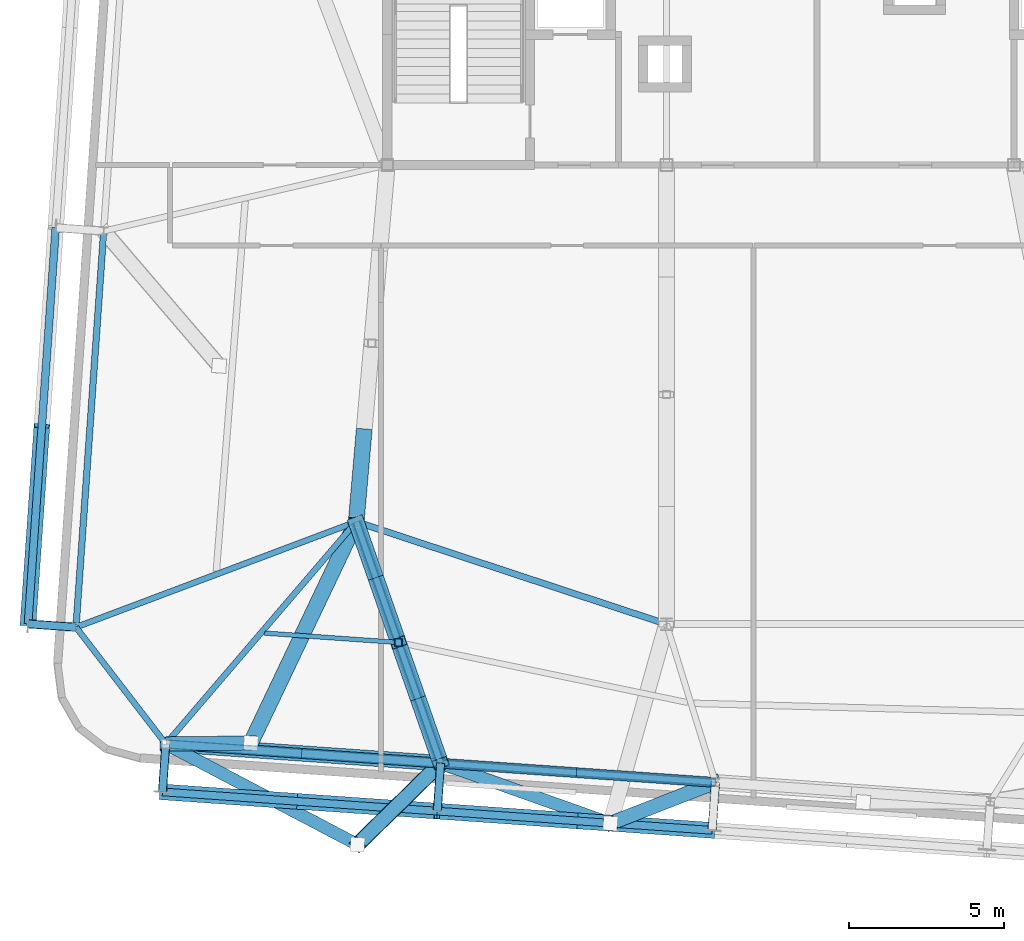
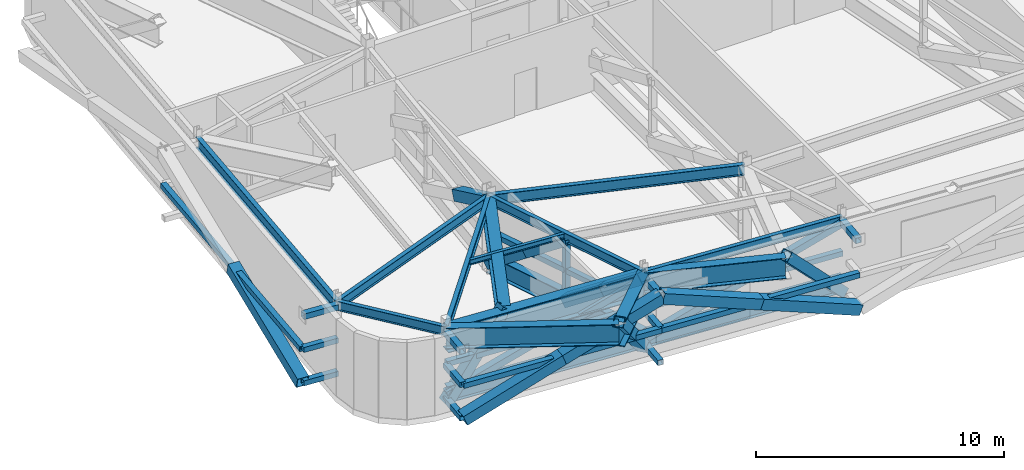
# One storey, part 6 of 24: 38 members, 13 beams.
"""IFC4 building model written with IfcOpenShell, lengths in metres."""

from ifc_helpers import new_model, si_unit, direction, frame, origin, origin_2d, place, context, subcontext, project, spatial, hollow_rectangle, i_section, extrude, source, transform, mapped, material, material_profile, profile_set, type_object, element, save


model = new_model("IFC4")

# Units and contexts
model_context = context("Model", 3, precision=1e-05, world=origin(), true_north=direction((0.0, 1.0)))
body_context = subcontext(model_context, "Body", "Model", "MODEL_VIEW")
ifc_project = project(units=[si_unit("LENGTHUNIT", "METRE"), si_unit("AREAUNIT", "SQUARE_METRE"), si_unit("VOLUMEUNIT", "CUBIC_METRE"), si_unit("PLANEANGLEUNIT", "RADIAN"), si_unit("MASSUNIT", "GRAM", prefix="KILO")], contexts=[model_context])

# Site, building, storey
site_placement = place(None, origin())
site = spatial("IfcSite", under=ifc_project, at=site_placement, CompositionType="ELEMENT")
building_placement = place(site_placement, origin())
building = spatial("IfcBuilding", under=site, at=building_placement, Name="Taldren Reach Tower", CompositionType="ELEMENT")
storey_placement = place(building_placement, frame((0.0, 0.0, 164.5)))
storey = spatial("IfcBuildingStorey", under=building, at=storey_placement, Name="L50", CompositionType="ELEMENT", Elevation=164.5)

# Beam
ifc_material_1 = material(Name="Steel Gr 350 (350PLUS)", Category="steel")
ifc_material_profile_1 = material_profile(ifc_material_1, i_section(OverallWidth=0.208984375, OverallDepth=0.532958984375, WebThickness=0.01025390625, FlangeThickness=0.015625, at=origin_2d()), Name="530UB92.4")
ifc_profile_set_1 = profile_set([ifc_material_profile_1], Name="Steel Gr 350 (350PLUS)")
beam_type_1 = type_object("IfcBeamType", Name="BM-UB530A", PredefinedType="BEAM", material=ifc_profile_set_1)
shared_shape_1 = source(origin(), body_context, "Body", "SweptSolid", [
    extrude(i_section(OverallWidth=0.208984375, OverallDepth=0.532958984375, WebThickness=0.01025390625, FlangeThickness=0.015625, at=origin_2d()), origin(), (0.0, 0.0, 1.0), 10.530517578125),
])
beam_1_placement = place(storey_placement, frame((18.0, 12.5, 3.513427734375), z_axis=(0.949627269203, -0.313381635689, 0.0), x_axis=(0.313381635689, 0.949627269203, 0.0)))
element("IfcBeam", 1, at=beam_1_placement, inside=storey, type_object=beam_type_1, Name="Core-spine girder L50-SP10", PredefinedType="BEAM", context=body_context, shape_type="MappedRepresentation", body=[
    mapped(shared_shape_1, transform((0.0, 0.0, 0.0), scale=1.0)),
])

# Members
ifc_material_2 = material(Name="Steel Gr 450 (C450L0)", Category="steel")
ifc_material_profile_2 = material_profile(ifc_material_2, hollow_rectangle(XDim=0.27490234375, YDim=0.27490234375, WallThickness=0.00927734375, at=origin_2d()), Name="275x275x9.3SHS")
ifc_profile_set_2 = profile_set([ifc_material_profile_2], Name="Steel Gr 450 (C450L0)")
member_type_1 = type_object("IfcMemberType", Name="MB-TIE273", PredefinedType="STRUT", material=ifc_profile_set_2)
shared_shape_2 = source(origin(), body_context, "Body", "SweptSolid", [
    extrude(hollow_rectangle(XDim=0.27490234375, YDim=0.27490234375, WallThickness=0.00927734375, at=origin_2d()), origin(), (0.0, 0.0, 1.0), 1.5498046875),
])
for number, where, z_axis, x_axis, name in (
    (2, (11.863525390625, 5.33837890625, 3.5), (-0.069780535098, -0.997562367434, 0.0), (0.997562367434, -0.069780535098, 0.0), "Exoskeleton diaphragm tie strut B3-S1 L50"),
    (3, (20.721923828125, 4.718994140625, 3.5), (-0.069780535098, -0.997562367434, 0.0), (0.997562367434, -0.069780535098, 0.0), "Exoskeleton diaphragm tie strut B3-S2 L50"),
    (4, (8.96875, 9.099609375, 3.5), (-0.997573320145, 0.069623781384, 0.0), (-0.069623781384, -0.997573320145, 0.0), "Exoskeleton diaphragm tie strut B3-W1 L50"),
):
    element("IfcMember", number, at=place(storey_placement, frame(where, z_axis=z_axis, x_axis=x_axis)), inside=storey, type_object=member_type_1, Name=name, PredefinedType="STRUT", context=body_context, shape_type="MappedRepresentation", body=[
        mapped(shared_shape_2, transform((0.0, 0.0, 0.0), scale=1.0)),
    ])
ifc_material_3 = material(Name="Steel Gr 350 (C350L0)", Category="steel")
ifc_material_profile_3 = material_profile(ifc_material_3, hollow_rectangle(XDim=0.25, YDim=0.25, WallThickness=0.010009765625, at=origin_2d()), Name="250x250x10.0SHS")
ifc_profile_set_3 = profile_set([ifc_material_profile_3], Name="Steel Gr 350 (C350L0)")
member_type_2 = type_object("IfcMemberType", Name="MB-POST250", PredefinedType="POST", material=ifc_profile_set_3)
shared_shape_3 = source(origin(), body_context, "Body", "SweptSolid", [
    extrude(hollow_rectangle(XDim=0.25, YDim=0.25, WallThickness=0.010009765625, at=origin_2d()), origin(), (0.0, 0.0, 1.0), 1.5498046875),
])
for number, where, z_axis, x_axis, name in (
    (5, (11.863525390625, 5.33837890625, 0.219970703125), (-0.069780535098, -0.997562367434, 0.0), (0.997562367434, -0.069780535098, 0.0), "Exoskeleton base diaphragm tie strut B3-S1 L50"),
    (6, (20.721923828125, 4.718994140625, 0.219970703125), (-0.069780535098, -0.997562367434, 0.0), (0.997562367434, -0.069780535098, 0.0), "Exoskeleton base diaphragm tie strut B3-S2 L50"),
    (7, (8.96875, 9.099609375, 0.219970703125), (-0.997573320145, 0.069623781384, 0.0), (-0.069623781384, -0.997573320145, 0.0), "Exoskeleton base diaphragm tie strut B3-W1 L50"),
    (8, (11.863525390625, 5.33837890625, 1.860107421875), (-0.069780535098, -0.997562367434, 0.0), (0.997562367434, -0.069780535098, 0.0), "Exoskeleton mid-tier diaphragm tie B3-S1 L50"),
    (9, (20.721923828125, 4.718994140625, 1.860107421875), (-0.069780535098, -0.997562367434, 0.0), (0.997562367434, -0.069780535098, 0.0), "Exoskeleton mid-tier diaphragm tie B3-S2 L50"),
    (10, (8.96875, 9.099609375, 1.860107421875), (-0.997573320145, 0.069623781384, 0.0), (-0.069623781384, -0.997573320145, 0.0), "Exoskeleton mid-tier diaphragm tie B3-W1 L50"),
):
    element("IfcMember", number, at=place(storey_placement, frame(where, z_axis=z_axis, x_axis=x_axis)), inside=storey, type_object=member_type_2, Name=name, PredefinedType="POST", context=body_context, shape_type="MappedRepresentation", body=[
        mapped(shared_shape_3, transform((0.0, 0.0, 0.0), scale=1.0)),
    ])
shared_shape_4 = source(origin(), body_context, "Body", "SweptSolid", [
    extrude(hollow_rectangle(XDim=0.25, YDim=0.25, WallThickness=0.010009765625, at=origin_2d()), origin(), (0.0, 0.0, 1.0), 1.5048828125),
])
member_1_placement = place(storey_placement, frame((19.361083984375, 8.609375, 1.955078125), z_axis=(0.0, 0.0, 1.0), x_axis=(1.0, 0.0, 0.0)))
element("IfcMember", 11, at=member_1_placement, inside=storey, type_object=member_type_2, Name="Outrigger Transfer Truss Vertical Post OT-W2 L50", PredefinedType="POST", context=body_context, shape_type="MappedRepresentation", body=[
    mapped(shared_shape_4, transform((0.0, 0.0, 0.0), scale=1.0)),
])
shared_shape_5 = source(origin(), body_context, "Body", "SweptSolid", [
    extrude(hollow_rectangle(XDim=0.25, YDim=0.25, WallThickness=0.010009765625, at=origin_2d()), origin(), (0.0, 0.0, 1.0), 1.505126953125),
])
member_2_placement = place(storey_placement, frame((19.361083984375, 8.609375, 0.449951171875), z_axis=(0.0, 0.0, 1.0), x_axis=(1.0, 0.0, 0.0)))
element("IfcMember", 12, at=member_2_placement, inside=storey, type_object=member_type_2, Name="Outrigger Transfer Truss Vertical Post OT-W2 L50", PredefinedType="POST", context=body_context, shape_type="MappedRepresentation", body=[
    mapped(shared_shape_5, transform((0.0, 0.0, 0.0), scale=1.0)),
])
ifc_material_profile_4 = material_profile(ifc_material_2, hollow_rectangle(XDim=0.510009765625, YDim=0.510009765625, WallThickness=0.02001953125, at=origin_2d()), Name="510x510x20.0SHS")
ifc_profile_set_4 = profile_set([ifc_material_profile_4], Name="Steel Gr 450 (C450L0)")
member_type_3 = type_object("IfcMemberType", Name="MB-EXO508", PredefinedType="BRACE", material=ifc_profile_set_4)
shared_shape_6 = source(origin(), body_context, "Body", "SweptSolid", [
    extrude(hollow_rectangle(XDim=0.510009765625, YDim=0.510009765625, WallThickness=0.02001953125, at=origin_2d()), origin(), (0.0, 0.0, 1.0), 3.254638671875),
])
member_3_placement = place(storey_placement, frame((18.25, 15.375, 1.955078125), z_axis=(-0.076812991328, -0.883349400268, 0.462378201703), x_axis=(0.996240588196, -0.086629616365, 0.0)))
element("IfcMember", 13, at=member_3_placement, inside=storey, type_object=member_type_3, Name="Outrigger Transfer Truss Diagonal OT-W1B L50", PredefinedType="BRACE", context=body_context, shape_type="MappedRepresentation", body=[
    mapped(shared_shape_6, transform((0.0, 0.0, 0.0), scale=1.0)),
])
shared_shape_7 = source(origin(), body_context, "Body", "SweptSolid", [
    extrude(hollow_rectangle(XDim=0.27490234375, YDim=0.27490234375, WallThickness=0.00927734375, at=origin_2d()), origin(), (0.0, 0.0, 1.0), 1.550048828125),
])
member_4_placement = place(storey_placement, frame((29.580322265625, 4.099609375, 3.5), z_axis=(-0.06976957191, -0.99756313426, 0.0), x_axis=(0.99756313426, -0.06976957191, 0.0)))
element("IfcMember", 14, at=member_4_placement, inside=storey, type_object=member_type_1, Name="Exoskeleton diaphragm tie strut B3-S3 L50", PredefinedType="STRUT", context=body_context, shape_type="MappedRepresentation", body=[
    mapped(shared_shape_7, transform((0.0, 0.0, 0.0), scale=1.0)),
])

# Beams
ifc_material_profile_5 = material_profile(ifc_material_1, i_section(OverallWidth=0.18994140625, OverallDepth=0.4541015625, WebThickness=0.008544921875, FlangeThickness=0.0126953125, at=origin_2d()), Name="460UB67.1")
ifc_profile_set_5 = profile_set([ifc_material_profile_5], Name="Steel Gr 350 (350PLUS)")
beam_type_2 = type_object("IfcBeamType", Name="SP-UB460B", PredefinedType="SPANDREL", material=ifc_profile_set_5)
shared_shape_8 = source(origin(), body_context, "Body", "SweptSolid", [
    extrude(i_section(OverallWidth=0.18994140625, OverallDepth=0.4541015625, WebThickness=0.008544921875, FlangeThickness=0.0126953125, at=origin_2d()), origin(), (0.0, 0.0, 1.0), 8.880126953125),
])
beam_2_placement = place(storey_placement, frame((20.721923828125, 4.718994140625, 3.552978515625), z_axis=(0.997564479639, -0.069750333063, 0.0), x_axis=(0.069750333063, 0.997564479639, 0.0)))
element("IfcBeam", 15, at=beam_2_placement, inside=storey, type_object=beam_type_2, Name="Perimeter spandrel B3 S2-S3 L50", PredefinedType="SPANDREL", context=body_context, shape_type="MappedRepresentation", body=[
    mapped(shared_shape_8, transform((0.0, 0.0, 0.0), scale=1.0)),
])
ifc_material_profile_6 = material_profile(ifc_material_1, i_section(OverallWidth=0.208984375, OverallDepth=0.528076171875, WebThickness=0.009521484375, FlangeThickness=0.01318359375, at=origin_2d()), Name="530UB82.0")
ifc_profile_set_6 = profile_set([ifc_material_profile_6], Name="Steel Gr 350 (350PLUS)")
beam_type_3 = type_object("IfcBeamType", Name="SP-UB530B", PredefinedType="SPANDREL", material=ifc_profile_set_6)
shared_shape_9 = source(origin(), body_context, "Body", "SweptSolid", [
    extrude(i_section(OverallWidth=0.208984375, OverallDepth=0.528076171875, WebThickness=0.009521484375, FlangeThickness=0.01318359375, at=origin_2d()), origin(), (0.0, 0.0, 1.0), 12.800048828125),
])
beam_3_placement = place(storey_placement, frame((9.86181640625, 21.868408203125, 3.51611328125), z_axis=(-0.069770857464, -0.997563044348, 0.0), x_axis=(0.997563044348, -0.069770857464, 0.0)))
element("IfcBeam", 16, at=beam_3_placement, inside=storey, type_object=beam_type_3, Name="Perimeter spandrel B3 W2-W1 L50", PredefinedType="SPANDREL", context=body_context, shape_type="MappedRepresentation", body=[
    mapped(shared_shape_9, transform((0.0, 0.0, 0.0), scale=1.0)),
])
shared_shape_10 = source(origin(), body_context, "Body", "SweptSolid", [
    extrude(i_section(OverallWidth=0.18994140625, OverallDepth=0.4541015625, WebThickness=0.008544921875, FlangeThickness=0.0126953125, at=origin_2d()), origin(), (0.0, 0.0, 1.0), 4.746337890625),
])
beam_4_placement = place(storey_placement, frame((8.96875, 9.099609375, 3.552978515625), z_axis=(0.609912099004, -0.792469072891, 0.0), x_axis=(0.792469072891, 0.609912099004, 0.0)))
element("IfcBeam", 17, at=beam_4_placement, inside=storey, type_object=beam_type_2, Name="Perimeter spandrel B3 W1-S1 L50", PredefinedType="SPANDREL", context=body_context, shape_type="MappedRepresentation", body=[
    mapped(shared_shape_10, transform((0.0, 0.0, 0.0), scale=1.0)),
])
ifc_material_profile_7 = material_profile(ifc_material_1, i_section(OverallWidth=0.19091796875, OverallDepth=0.4599609375, WebThickness=0.010009765625, FlangeThickness=0.01611328125, at=origin_2d()), Name="460UB82.1")
ifc_profile_set_7 = profile_set([ifc_material_profile_7], Name="Steel Gr 350 (350PLUS)")
beam_type_4 = type_object("IfcBeamType", Name="BM-UB460A", PredefinedType="BEAM", material=ifc_profile_set_7)
shared_shape_11 = source(origin(), body_context, "Body", "SweptSolid", [
    extrude(i_section(OverallWidth=0.19091796875, OverallDepth=0.4599609375, WebThickness=0.010009765625, FlangeThickness=0.01611328125, at=origin_2d()), origin(), (0.0, 0.0, 1.0), 9.43115234375),
])
beam_5_placement = place(storey_placement, frame((18.0, 12.5, 3.550048828125), z_axis=(-0.650665584965, -0.759364402999, 0.0), x_axis=(0.759364402999, -0.650665584965, 0.0)))
element("IfcBeam", 18, at=beam_5_placement, inside=storey, type_object=beam_type_4, Name="Primary floor girder B3-S1 L50", PredefinedType="BEAM", context=body_context, shape_type="MappedRepresentation", body=[
    mapped(shared_shape_11, transform((0.0, 0.0, 0.0), scale=1.0)),
])
shared_shape_12 = source(origin(), body_context, "Body", "SweptSolid", [
    extrude(i_section(OverallWidth=0.19091796875, OverallDepth=0.4599609375, WebThickness=0.010009765625, FlangeThickness=0.01611328125, at=origin_2d()), origin(), (0.0, 0.0, 1.0), 8.243408203125),
])
beam_6_placement = place(storey_placement, frame((18.0, 12.5, 3.550048828125), z_axis=(0.330196070713, -0.943912366105, 0.0), x_axis=(0.943912366105, 0.330196070713, 0.0)))
element("IfcBeam", 19, at=beam_6_placement, inside=storey, type_object=beam_type_4, Name="Primary floor girder B3-S2 L50", PredefinedType="BEAM", context=body_context, shape_type="MappedRepresentation", body=[
    mapped(shared_shape_12, transform((0.0, 0.0, 0.0), scale=1.0)),
])
shared_shape_13 = source(origin(), body_context, "Body", "SweptSolid", [
    extrude(i_section(OverallWidth=0.19091796875, OverallDepth=0.4599609375, WebThickness=0.010009765625, FlangeThickness=0.01611328125, at=origin_2d()), origin(), (0.0, 0.0, 1.0), 9.650146484375),
])
beam_7_placement = place(storey_placement, frame((18.0, 12.5, 3.550048828125), z_axis=(-0.935862573906, -0.352365212191, 0.0), x_axis=(0.352365212191, -0.935862573906, 0.0)))
element("IfcBeam", 20, at=beam_7_placement, inside=storey, type_object=beam_type_4, Name="Primary floor girder B3-W1 L50", PredefinedType="BEAM", context=body_context, shape_type="MappedRepresentation", body=[
    mapped(shared_shape_13, transform((0.0, 0.0, 0.0), scale=1.0)),
])
ifc_material_4 = material(Name="Steel Gr 300 (300PLUS, 300 MPa)", Category="steel")
ifc_material_profile_8 = material_profile(ifc_material_4, i_section(OverallWidth=0.14599609375, OverallDepth=0.256103515625, WebThickness=0.00634765625, FlangeThickness=0.010986328125, at=origin_2d()), Name="250UB37.3")
ifc_profile_set_8 = profile_set([ifc_material_profile_8], Name="Steel Gr 300 (300PLUS, 300 MPa)")
beam_type_5 = type_object("IfcBeamType", Name="JS-UB250", PredefinedType="JOIST", material=ifc_profile_set_8)
shared_shape_14 = source(origin(), body_context, "Body", "SweptSolid", [
    extrude(i_section(OverallWidth=0.14599609375, OverallDepth=0.256103515625, WebThickness=0.00634765625, FlangeThickness=0.010986328125, at=origin_2d()), origin(), (0.0, 0.0, 1.0), 4.217041015625),
])
beam_8_placement = place(storey_placement, frame((15.050537109375, 8.910888671875, 3.652099609375), z_axis=(0.997563683226, -0.069761722378, 0.0), x_axis=(0.069761722378, 0.997563683226, 0.0)))
element("IfcBeam", 21, at=beam_8_placement, inside=storey, type_object=beam_type_5, Name="Secondary floor joist B3 J1 L50", PredefinedType="JOIST", context=body_context, shape_type="MappedRepresentation", body=[
    mapped(shared_shape_14, transform((0.0, 0.0, 0.0), scale=1.0)),
])

# Members
shared_shape_15 = source(origin(), body_context, "Body", "SweptSolid", [
    extrude(hollow_rectangle(XDim=0.25, YDim=0.25, WallThickness=0.010009765625, at=origin_2d()), origin(), (0.0, 0.0, 1.0), 8.880126953125),
])
for number, where, z_axis, x_axis, name in (
    (22, (11.863525390625, 5.33837890625, 1.955078125), (0.997564479639, -0.069750333063, 0.0), (0.069750333063, 0.997564479639, 0.0), "Belt Truss Transfer Mid Chord S1 L50"),
    (23, (20.721923828125, 4.718994140625, 1.955078125), (0.997564479639, -0.069750333063, 0.0), (0.069750333063, 0.997564479639, 0.0), "Belt Truss Transfer Mid Chord S2 L50"),
    (24, (11.75537109375, 3.792236328125, 1.860107421875), (0.997564479639, -0.069750333063, 0.0), (0.069750333063, 0.997564479639, 0.0), "Exoskeleton mid-height ring chord B3-S1 L50"),
    (25, (20.61376953125, 3.1728515625, 1.860107421875), (0.997562566276, -0.06977769246, 0.0), (0.06977769246, 0.997562566276, 0.0), "Exoskeleton mid-height ring chord B3-S2 L50"),
):
    element("IfcMember", number, at=place(storey_placement, frame(where, z_axis=z_axis, x_axis=x_axis)), inside=storey, type_object=member_type_2, Name=name, PredefinedType="POST", context=body_context, shape_type="MappedRepresentation", body=[
        mapped(shared_shape_15, transform((0.0, 0.0, 0.0), scale=1.0)),
    ])
shared_shape_16 = source(origin(), body_context, "Body", "SweptSolid", [
    extrude(hollow_rectangle(XDim=0.25, YDim=0.25, WallThickness=0.010009765625, at=origin_2d()), origin(), (0.0, 0.0, 1.0), 12.80029296875),
])
member_5_placement = place(storey_placement, frame((7.422607421875, 9.20751953125, 1.860107421875), z_axis=(0.069750549628, 0.997564464497, 0.0), x_axis=(-0.997564464497, 0.069750549628, 0.0)))
element("IfcMember", 26, at=member_5_placement, inside=storey, type_object=member_type_2, Name="Exoskeleton mid-height ring chord B3-W1 L50", PredefinedType="POST", context=body_context, shape_type="MappedRepresentation", body=[
    mapped(shared_shape_16, transform((0.0, 0.0, 0.0), scale=1.0)),
])

# Beam
ifc_material_profile_9 = material_profile(ifc_material_1, i_section(OverallWidth=0.5, OverallDepth=1.199951171875, WebThickness=0.01611328125, FlangeThickness=0.0400390625, at=origin_2d()), Name="1200WB455")
ifc_profile_set_9 = profile_set([ifc_material_profile_9], Name="Steel Gr 350 (350PLUS)")
beam_type_6 = type_object("IfcBeamType", Name="BM-WB1200", PredefinedType="BEAM", material=ifc_profile_set_9)
shared_shape_17 = source(origin(), body_context, "Body", "SweptSolid", [
    extrude(i_section(OverallWidth=0.5, OverallDepth=1.199951171875, WebThickness=0.01611328125, FlangeThickness=0.0400390625, at=origin_2d()), origin(), (0.0, 0.0, 1.0), 8.880126953125),
])
beam_9_placement = place(storey_placement, frame((11.863525390625, 5.33837890625, 3.179931640625), z_axis=(0.997564479639, -0.069750333063, 0.0), x_axis=(0.069750333063, 0.997564479639, 0.0)))
element("IfcBeam", 27, at=beam_9_placement, inside=storey, type_object=beam_type_6, Name="Belt Truss Transfer Tie Girder TG-B4-W1B on L50", PredefinedType="SPANDREL", context=body_context, shape_type="MappedRepresentation", body=[
    mapped(shared_shape_17, transform((0.0, 0.0, 0.0), scale=1.0)),
])

# Member
ifc_material_profile_10 = material_profile(ifc_material_2, hollow_rectangle(XDim=0.4599609375, YDim=0.4599609375, WallThickness=0.01611328125, at=origin_2d()), Name="460x460x16.0SHS")
ifc_profile_set_10 = profile_set([ifc_material_profile_10], Name="Steel Gr 450 (C450L0)")
member_type_4 = type_object("IfcMemberType", Name="MB-EXO457", PredefinedType="BRACE", material=ifc_profile_set_10)
shared_shape_18 = source(origin(), body_context, "Body", "SweptSolid", [
    extrude(hollow_rectangle(XDim=0.4599609375, YDim=0.4599609375, WallThickness=0.01611328125, at=origin_2d()), origin(), (0.0, 0.0, 1.0), 5.3125),
])
member_6_placement = place(storey_placement, frame((20.721923828125, 4.718994140625, 0.02001953125), z_axis=(-0.504910415414, -0.494110929875, 0.707756922526), x_axis=(0.699422045856, -0.714708893026, 0.0)))
element("IfcMember", 28, at=member_6_placement, inside=storey, type_object=member_type_4, Name="Outrigger Belt Truss Transfer Strut TS-B4-S1 L50", PredefinedType="BRACE", context=body_context, shape_type="MappedRepresentation", body=[
    mapped(shared_shape_18, transform((0.0, 0.0, 0.0), scale=1.0)),
])

# Beams
shared_shape_19 = source(origin(), body_context, "Body", "SweptSolid", [
    extrude(i_section(OverallWidth=0.5, OverallDepth=1.199951171875, WebThickness=0.01611328125, FlangeThickness=0.0400390625, at=origin_2d()), origin(), (0.0, 0.0, 1.0), 3.753173828125),
])
beam_10_placement = place(storey_placement, frame((20.721923828125, 4.718994140625, 3.179931640625), z_axis=(-0.714708893026, -0.699422045856, 0.0), x_axis=(0.699422045856, -0.714708893026, 0.0)))
element("IfcBeam", 29, at=beam_10_placement, inside=storey, type_object=beam_type_6, Name="Belt Truss Transfer Girder TG-B4-S1A on L50", PredefinedType="BEAM", context=body_context, shape_type="MappedRepresentation", body=[
    mapped(shared_shape_19, transform((0.0, 0.0, 0.0), scale=1.0)),
])
ifc_material_profile_11 = material_profile(ifc_material_1, i_section(OverallWidth=0.39990234375, OverallDepth=1.02392578125, WebThickness=0.01611328125, FlangeThickness=0.031982421875, at=origin_2d()), Name="1000WB322")
ifc_profile_set_11 = profile_set([ifc_material_profile_11], Name="Steel Gr 350 (350PLUS)")
beam_type_7 = type_object("IfcBeamType", Name="BM-WB1000", PredefinedType="BEAM", material=ifc_profile_set_11)
shared_shape_20 = source(origin(), body_context, "Body", "SweptSolid", [
    extrude(i_section(OverallWidth=0.39990234375, OverallDepth=1.02392578125, WebThickness=0.01611328125, FlangeThickness=0.031982421875, at=origin_2d()), origin(), (0.0, 0.0, 1.0), 6.976318359375),
])
beam_11_placement = place(storey_placement, frame((11.863525390625, 5.33837890625, 3.26806640625), z_axis=(0.885281572044, -0.465055414116, 0.0), x_axis=(0.465055414116, 0.885281572044, 0.0)))
element("IfcBeam", 30, at=beam_11_placement, inside=storey, type_object=beam_type_7, Name="Belt Truss Transfer Tie Girder TG-B4-S1B on L50", PredefinedType="BEAM", context=body_context, shape_type="MappedRepresentation", body=[
    mapped(shared_shape_20, transform((0.0, 0.0, 0.0), scale=1.0)),
])

# Member
shared_shape_21 = source(origin(), body_context, "Body", "SweptSolid", [
    extrude(hollow_rectangle(XDim=0.4599609375, YDim=0.4599609375, WallThickness=0.01611328125, at=origin_2d()), origin(), (0.0, 0.0, 1.0), 5.231689453125),
])
member_7_placement = place(storey_placement, frame((29.580322265625, 4.099609375, 0.02001953125), z_axis=(-0.647856588055, -0.25250680674, 0.718694757087), x_axis=(0.363148956361, -0.931731096129, 0.0)))
element("IfcMember", 31, at=member_7_placement, inside=storey, type_object=member_type_4, Name="Outrigger Belt Truss Transfer Strut TS-B4-S2 L50", PredefinedType="BRACE", context=body_context, shape_type="MappedRepresentation", body=[
    mapped(shared_shape_21, transform((0.0, 0.0, 0.0), scale=1.0)),
])

# Beam
shared_shape_22 = source(origin(), body_context, "Body", "SweptSolid", [
    extrude(i_section(OverallWidth=0.39990234375, OverallDepth=1.02392578125, WebThickness=0.01611328125, FlangeThickness=0.031982421875, at=origin_2d()), origin(), (0.0, 0.0, 1.0), 5.802978515625),
])
beam_12_placement = place(storey_placement, frame((20.721923828125, 4.718994140625, 3.26806640625), z_axis=(0.942437582431, -0.334382121564, 0.0), x_axis=(0.334382121564, 0.942437582431, 0.0)))
element("IfcBeam", 32, at=beam_12_placement, inside=storey, type_object=beam_type_7, Name="Belt Truss Transfer Tie Girder TG-B4-S2B on L50", PredefinedType="BEAM", context=body_context, shape_type="MappedRepresentation", body=[
    mapped(shared_shape_22, transform((0.0, 0.0, 0.0), scale=1.0)),
])

# Member
shared_shape_23 = source(origin(), body_context, "Body", "SweptSolid", [
    extrude(hollow_rectangle(XDim=0.4599609375, YDim=0.4599609375, WallThickness=0.01611328125, at=origin_2d()), origin(), (0.0, 0.0, 1.0), 4.652587890625),
])
member_8_placement = place(storey_placement, frame((11.863525390625, 5.33837890625, 0.02001953125), z_axis=(0.588958281187, 0.006349247329, 0.808138496843), x_axis=(-0.01077984403, 0.999941895793, 0.0)))
element("IfcMember", 33, at=member_8_placement, inside=storey, type_object=member_type_4, Name="Outrigger Belt Truss Transfer Strut TS-B4-W1 L50", PredefinedType="BRACE", context=body_context, shape_type="MappedRepresentation", body=[
    mapped(shared_shape_23, transform((0.0, 0.0, 0.0), scale=1.0)),
])

# Beam
shared_shape_24 = source(origin(), body_context, "Body", "SweptSolid", [
    extrude(i_section(OverallWidth=0.5, OverallDepth=1.199951171875, WebThickness=0.01611328125, FlangeThickness=0.0400390625, at=origin_2d()), origin(), (0.0, 0.0, 1.0), 7.8994140625),
])
beam_13_placement = place(storey_placement, frame((18.0, 12.5, 3.179931640625), z_axis=(-0.429934780074, -0.902859947546, 0.0), x_axis=(0.902859947546, -0.429934780074, 0.0)))
element("IfcBeam", 34, at=beam_13_placement, inside=storey, type_object=beam_type_6, Name="Belt Truss Transfer Girder TG-B4-W1A on L50", PredefinedType="BEAM", context=body_context, shape_type="MappedRepresentation", body=[
    mapped(shared_shape_24, transform((0.0, 0.0, 0.0), scale=1.0)),
])

# Members
ifc_material_profile_12 = material_profile(ifc_material_1, i_section(OverallWidth=0.35009765625, OverallDepth=0.916015625, WebThickness=0.013916015625, FlangeThickness=0.028076171875, at=origin_2d()), Name="900WB257")
ifc_profile_set_12 = profile_set([ifc_material_profile_12], Name="Steel Gr 350 (350PLUS)")
member_type_5 = type_object("IfcMemberType", Name="MB-CH900", PredefinedType="CHORD", material=ifc_profile_set_12)
shared_shape_25 = source(origin(), body_context, "Body", "SweptSolid", [
    extrude(i_section(OverallWidth=0.35009765625, OverallDepth=0.916015625, WebThickness=0.013916015625, FlangeThickness=0.028076171875, at=origin_2d()), origin(), (0.0, 0.0, 1.0), 8.243408203125),
])
member_9_placement = place(storey_placement, frame((18.0, 12.5, 0.449951171875), z_axis=(0.330196070713, -0.943912366105, 0.0), x_axis=(0.943912366105, 0.330196070713, 0.0)))
element("IfcMember", 35, at=member_9_placement, inside=storey, type_object=member_type_5, Name="Outrigger Transfer Truss Bottom Chord OT-W2 L50", PredefinedType="CHORD", context=body_context, shape_type="MappedRepresentation", body=[
    mapped(shared_shape_25, transform((0.0, 0.0, 0.0), scale=1.0)),
])
shared_shape_26 = source(origin(), body_context, "Body", "SweptSolid", [
    extrude(hollow_rectangle(XDim=0.25, YDim=0.25, WallThickness=0.010009765625, at=origin_2d()), origin(), (0.0, 0.0, 1.0), 8.243408203125),
])
member_10_placement = place(storey_placement, frame((18.0, 12.5, 1.955078125), z_axis=(0.330196070713, -0.943912366105, 0.0), x_axis=(0.943912366105, 0.330196070713, 0.0)))
element("IfcMember", 36, at=member_10_placement, inside=storey, type_object=member_type_2, Name="Outrigger Transfer Truss Mid Chord OT-W2 L50", PredefinedType="POST", context=body_context, shape_type="MappedRepresentation", body=[
    mapped(shared_shape_26, transform((0.0, 0.0, 0.0), scale=1.0)),
])
shared_shape_27 = source(origin(), body_context, "Body", "SweptSolid", [
    extrude(hollow_rectangle(XDim=0.510009765625, YDim=0.510009765625, WallThickness=0.02001953125, at=origin_2d()), origin(), (0.0, 0.0, 1.0), 2.552001953125),
])
for number, where, z_axis, x_axis, name in (
    (37, (18.0, 12.5, 0.449951171875), (0.266623963536, -0.762274754737, 0.589787131395), (0.943924825098, 0.330160452755, 0.0), "Outrigger Transfer Truss Diagonal OT-W2A L50"),
    (38, (18.680419921875, 10.5546875, 1.955078125), (0.266727874408, -0.762298315381, 0.589709690764), (0.943887901589, 0.330265997695, 0.0), "Outrigger Transfer Truss Diagonal OT-W2A L50"),
):
    element("IfcMember", number, at=place(storey_placement, frame(where, z_axis=z_axis, x_axis=x_axis)), inside=storey, type_object=member_type_3, Name=name, PredefinedType="BRACE", context=body_context, shape_type="MappedRepresentation", body=[
        mapped(shared_shape_27, transform((0.0, 0.0, 0.0), scale=1.0)),
    ])
shared_shape_28 = source(origin(), body_context, "Body", "SweptSolid", [
    extrude(hollow_rectangle(XDim=0.510009765625, YDim=0.510009765625, WallThickness=0.02001953125, at=origin_2d()), origin(), (0.0, 0.0, 1.0), 2.5517578125),
])
for number, where, z_axis, x_axis, name in (
    (39, (19.361083984375, 8.609375, 0.449951171875), (0.266643407875, -0.762234671883, 0.589830143361), (0.943911909604, 0.330197375683, 0.0), "Outrigger Transfer Truss Diagonal OT-W2B L50"),
    (40, (20.04150390625, 6.664306640625, 1.955078125), (0.266639007359, -0.762317764849, 0.589724736763), (0.943924825098, 0.330160452755, 0.0), "Outrigger Transfer Truss Diagonal OT-W2B L50"),
):
    element("IfcMember", number, at=place(storey_placement, frame(where, z_axis=z_axis, x_axis=x_axis)), inside=storey, type_object=member_type_3, Name=name, PredefinedType="BRACE", context=body_context, shape_type="MappedRepresentation", body=[
        mapped(shared_shape_28, transform((0.0, 0.0, 0.0), scale=1.0)),
    ])
ifc_material_profile_13 = material_profile(ifc_material_1, i_section(OverallWidth=0.300048828125, OverallDepth=0.81591796875, WebThickness=0.011962890625, FlangeThickness=0.02392578125, at=origin_2d()), Name="800WB192")
ifc_profile_set_13 = profile_set([ifc_material_profile_13], Name="Steel Gr 350 (350PLUS)")
member_type_6 = type_object("IfcMemberType", Name="MB-CH800", PredefinedType="CHORD", material=ifc_profile_set_13)
shared_shape_29 = source(origin(), body_context, "Body", "SweptSolid", [
    extrude(i_section(OverallWidth=0.300048828125, OverallDepth=0.81591796875, WebThickness=0.011962890625, FlangeThickness=0.02392578125, at=origin_2d()), origin(), (0.0, 0.0, 1.0), 8.880126953125),
])
for number, where, z_axis, x_axis, name in (
    (41, (11.863525390625, 5.33837890625, 0.449951171875), (0.997564479639, -0.069750333063, 0.0), (0.069750333063, 0.997564479639, 0.0), "Belt Truss Transfer Bottom Chord S1 L50"),
    (42, (20.721923828125, 4.718994140625, 0.449951171875), (0.997564479639, -0.069750333063, 0.0), (0.069750333063, 0.997564479639, 0.0), "Belt Truss Transfer Bottom Chord S2 L50"),
):
    element("IfcMember", number, at=place(storey_placement, frame(where, z_axis=z_axis, x_axis=x_axis)), inside=storey, type_object=member_type_6, Name=name, PredefinedType="CHORD", context=body_context, shape_type="MappedRepresentation", body=[
        mapped(shared_shape_29, transform((0.0, 0.0, 0.0), scale=1.0)),
    ])
ifc_material_profile_14 = material_profile(ifc_material_2, hollow_rectangle(XDim=0.324951171875, YDim=0.324951171875, WallThickness=0.0126953125, at=origin_2d()), Name="325x325x12.7SHS")
ifc_profile_set_14 = profile_set([ifc_material_profile_14], Name="Steel Gr 450 (C450L0)")
member_type_7 = type_object("IfcMemberType", Name="MB-BR324", PredefinedType="BRACE", material=ifc_profile_set_14)
shared_shape_30 = source(origin(), body_context, "Body", "SweptSolid", [
    extrude(hollow_rectangle(XDim=0.324951171875, YDim=0.324951171875, WallThickness=0.0126953125, at=origin_2d()), origin(), (0.0, 0.0, 1.0), 4.688232421875),
])
for number, where, z_axis, x_axis, name in (
    (43, (11.863525390625, 5.33837890625, 0.449951171875), (0.944758459439, -0.066032065184, 0.321047067712), (0.069722973508, 0.997566392259, 0.0), "Belt Truss Transfer Diagonal S1 L50"),
    (44, (16.292724609375, 5.02880859375, 1.955078125), (0.944771003614, -0.066085018387, 0.320999254011), (0.06977769246, 0.997562566276, 0.0), "Belt Truss Transfer Diagonal S1 L50"),
    (45, (20.721923828125, 4.718994140625, 0.449951171875), (0.944755209462, -0.066083913615, 0.321045963308), (0.06977769246, 0.997562566276, 0.0), "Belt Truss Transfer Diagonal S2 L50"),
):
    element("IfcMember", number, at=place(storey_placement, frame(where, z_axis=z_axis, x_axis=x_axis)), inside=storey, type_object=member_type_7, Name=name, PredefinedType="BRACE", context=body_context, shape_type="MappedRepresentation", body=[
        mapped(shared_shape_30, transform((0.0, 0.0, 0.0), scale=1.0)),
    ])
shared_shape_31 = source(origin(), body_context, "Body", "SweptSolid", [
    extrude(hollow_rectangle(XDim=0.324951171875, YDim=0.324951171875, WallThickness=0.0126953125, at=origin_2d()), origin(), (0.0, 0.0, 1.0), 4.68798828125),
])
member_11_placement = place(storey_placement, frame((25.151123046875, 4.4091796875, 1.955078125), z_axis=(0.944774253753, -0.066033169097, 0.321000358292), x_axis=(0.069722973508, 0.997566392259, 0.0)))
element("IfcMember", 46, at=member_11_placement, inside=storey, type_object=member_type_7, Name="Belt Truss Transfer Diagonal S2 L50", PredefinedType="BRACE", context=body_context, shape_type="MappedRepresentation", body=[
    mapped(shared_shape_31, transform((0.0, 0.0, 0.0), scale=1.0)),
])
shared_shape_32 = source(origin(), body_context, "Body", "SweptSolid", [
    extrude(hollow_rectangle(XDim=0.510009765625, YDim=0.510009765625, WallThickness=0.02001953125, at=origin_2d()), origin(), (0.0, 0.0, 1.0), 4.733154296875),
])
for number, where, z_axis, x_axis, name in (
    (47, (11.75537109375, 3.792236328125, 0.219970703125), (0.935758954034, -0.065454641862, 0.346512438166), (0.06977769246, 0.997562566276, 0.0), "Exoskeleton Diagrid Brace B3-S1 L50"),
    (48, (16.1845703125, 3.482421875, 1.860107421875), (0.935778836251, -0.06540445179, 0.346468219772), (0.069722973508, 0.997566392259, 0.0), "Exoskeleton Diagrid Brace B3-S1 L50"),
    (49, (29.47216796875, 2.55322265625, 0.219970703125), (-0.935758954034, 0.065454641862, 0.346512438166), (-0.06977769246, -0.997562566276, 0.0), "Exoskeleton Diagrid Brace B3-S2 L50"),
    (50, (25.04296875, 2.863037109375, 1.860107421875), (-0.935775678065, 0.065455811678, 0.346467050467), (-0.06977769246, -0.997562566276, 0.0), "Exoskeleton Diagrid Brace B3-S2 L50"),
):
    element("IfcMember", number, at=place(storey_placement, frame(where, z_axis=z_axis, x_axis=x_axis)), inside=storey, type_object=member_type_3, Name=name, PredefinedType="BRACE", context=body_context, shape_type="MappedRepresentation", body=[
        mapped(shared_shape_32, transform((0.0, 0.0, 0.0), scale=1.0)),
    ])
shared_shape_33 = source(origin(), body_context, "Body", "SweptSolid", [
    extrude(hollow_rectangle(XDim=0.510009765625, YDim=0.510009765625, WallThickness=0.02001953125, at=origin_2d()), origin(), (0.0, 0.0, 1.0), 6.60693359375),
])
member_12_placement = place(storey_placement, frame((7.422607421875, 9.20751953125, 0.219970703125), z_axis=(0.067585557133, 0.966336743901, 0.248244818383), x_axis=(-0.997563137195, 0.069769529958, 0.0)))
element("IfcMember", 51, at=member_12_placement, inside=storey, type_object=member_type_3, Name="Exoskeleton Diagrid Brace B3-W1 L50", PredefinedType="BRACE", context=body_context, shape_type="MappedRepresentation", body=[
    mapped(shared_shape_33, transform((0.0, 0.0, 0.0), scale=1.0)),
])

save(model, "model.ifc")
